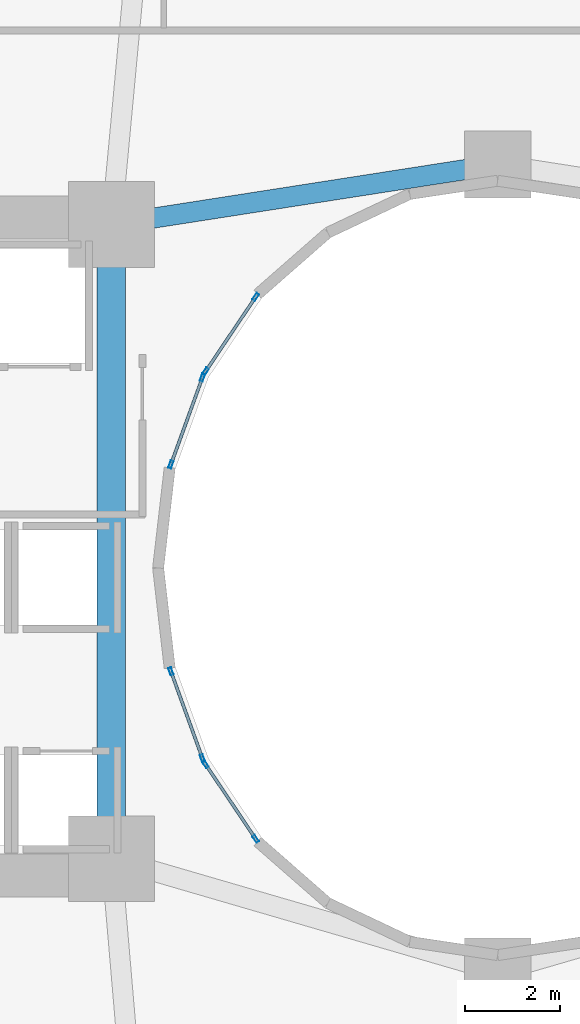
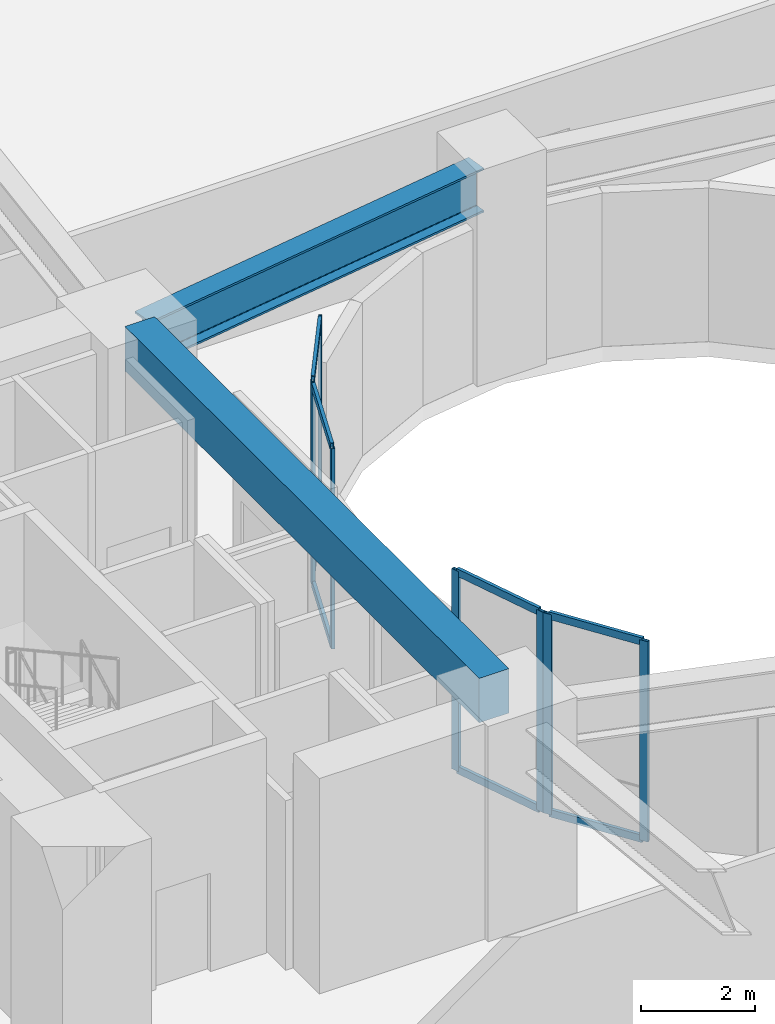
# One storey, part 4 of 25: 16 members, 2 beams, 4 elements without a shape of their own.
"""IFC4 building model written with IfcOpenShell, lengths in metres."""

from ifc_helpers import new_model, si_unit, direction, frame, origin, origin_2d, place, context, subcontext, project, spatial, rectangle, hollow_rectangle, i_section, extrude, material, layer, layer_set, material_profile, profile_set, type_object, element, aggregate, save


model = new_model("IFC4")

# Units and contexts
model_context = context("Model", 3, precision=1e-05, world=origin(), true_north=direction((0.0, 1.0)))
body_context = subcontext(model_context, "Body", "Model", "MODEL_VIEW")
ifc_project = project(units=[si_unit("LENGTHUNIT", "METRE"), si_unit("AREAUNIT", "SQUARE_METRE"), si_unit("VOLUMEUNIT", "CUBIC_METRE"), si_unit("PLANEANGLEUNIT", "RADIAN"), si_unit("MASSUNIT", "GRAM", prefix="KILO")], contexts=[model_context])

# Site, building, storey
site_placement = place(None, origin())
site = spatial("IfcSite", under=ifc_project, at=site_placement, CompositionType="ELEMENT")
building_placement = place(site_placement, origin())
building = spatial("IfcBuilding", under=site, at=building_placement, Name="Solvane Sanctuary Tower", CompositionType="ELEMENT")
storey_placement = place(building_placement, frame((0.0, 0.0, 13.800048828125)))
storey = spatial("IfcBuildingStorey", under=building, at=storey_placement, Name="L04", CompositionType="ELEMENT", Elevation=13.800048828125)

# Beams
ifc_material_1 = material(Name="Concrete C70/85", Category="concrete")
ifc_material_profile_1 = material_profile(ifc_material_1, rectangle(XDim=0.60009765625, YDim=0.949951171875, at=origin_2d()), Name="RC600X950")
ifc_profile_set_1 = profile_set([ifc_material_profile_1], Name="Concrete C70/85")
beam_type_1 = type_object("IfcBeamType", Name="Beam B-COUPLE RC600X950", PredefinedType="LINTEL", material=ifc_profile_set_1)
beam_1_placement = place(storey_placement, frame((23.89990234375, 17.35009765625, 4.125), z_axis=(0.0, 1.0, 0.0), x_axis=(-1.0, 0.0, 0.0)))
element("IfcBeam", 1, at=beam_1_placement, inside=storey, type_object=beam_type_1, Name="L04 West Core Coupling Lintel", PredefinedType="LINTEL", context=body_context, shape_type="SweptSolid", body=[
    extrude(rectangle(XDim=0.60009765625, YDim=0.949951171875, at=origin_2d()), origin(), (0.0, 0.0, 1.0), 12.39990234375),
])
ifc_material_2 = material(Name="Steel ASTM A913 Grade 65", Category="steel")
ifc_material_profile_2 = material_profile(ifc_material_2, i_section(OverallWidth=0.423095703125, OverallDepth=0.947998046875, WebThickness=0.02392578125, FlangeThickness=0.042724609375, FilletRadius=0.02392578125, at=origin_2d()), Name="W36X302")
ifc_profile_set_2 = profile_set([ifc_material_profile_2], Name="Steel ASTM A913 Grade 65")
beam_type_2 = type_object("IfcBeamType", Name="Beam B-POD-GIRD W36X302", PredefinedType="BEAM", material=ifc_profile_set_2)
beam_2_placement = place(storey_placement, frame((24.245849609375, 30.25390625, 3.803955078125), z_axis=(0.988118117449, 0.153696408448, 0.0), x_axis=(-0.153696408448, 0.988118117449, 0.0)))
element("IfcBeam", 2, at=beam_2_placement, inside=storey, type_object=beam_type_2, Name="L04 Podium Primary Girder PG19", PredefinedType="BEAM", context=body_context, shape_type="SweptSolid", body=[
    extrude(i_section(OverallWidth=0.423095703125, OverallDepth=0.947998046875, WebThickness=0.02392578125, FlangeThickness=0.042724609375, FilletRadius=0.02392578125, at=origin_2d()), origin(), (0.0, 0.0, 1.0), 7.49755859375),
])

# Curtain wall, members
ifc_material_3 = material(Name="Anodised Aluminium 6063-T6", Category="aluminium")
ifc_layer = layer(ifc_material_3, 0.199951171875, Name="Anodised Aluminium 6063-T6")
ifc_layer_set = layer_set([ifc_layer], Name="Anodised Aluminium 6063-T6")
curtain_wall_type = type_object("IfcCurtainWallType", Name="Curtain Wall CW-WELL", PredefinedType="NOTDEFINED", material=ifc_layer_set)
curtain_wall_1_placement = place(storey_placement, origin())
curtain_wall_1 = element("IfcCurtainWall", 3, at=curtain_wall_1_placement, inside=storey, type_object=curtain_wall_type, Name="L04 Light-Well Curtain Wall 09", PredefinedType="NOTDEFINED")
ifc_material_profile_3 = material_profile(ifc_material_3, hollow_rectangle(XDim=0.06494140625, YDim=0.159912109375, WallThickness=0.00341796875, at=origin_2d()), Name="ALU160X65X3.5")
ifc_profile_set_3 = profile_set([ifc_material_profile_3], Name="Anodised Aluminium 6063-T6")
member_type_1 = type_object("IfcMemberType", Name="Member M-CW-MUL-2 ALU160X65X3.5", PredefinedType="MULLION", material=ifc_profile_set_3)
member_1_placement = place(storey_placement, frame((26.925048828125, 28.681640625, 0.0), z_axis=(0.0, 0.0, 1.0), x_axis=(0.829664150104, -0.558262839559, 0.0)))
member_1 = element("IfcMember", 4, at=member_1_placement, type_object=member_type_1, Name="CW-WELL mullion 1", PredefinedType="MULLION", context=body_context, shape_type="SweptSolid", body=[
    extrude(hollow_rectangle(XDim=0.06494140625, YDim=0.159912109375, WallThickness=0.00341796875, at=origin_2d()), origin(), (0.0, 0.0, 1.0), 4.280029296875),
])
member_2_placement = place(storey_placement, frame((25.874267578125, 27.1201171875, 0.0), z_axis=(0.0, 0.0, 1.0), x_axis=(0.829664150104, -0.558262839559, 0.0)))
member_2 = element("IfcMember", 5, at=member_2_placement, type_object=member_type_1, Name="CW-WELL mullion 2", PredefinedType="MULLION", context=body_context, shape_type="SweptSolid", body=[
    extrude(hollow_rectangle(XDim=0.06494140625, YDim=0.159912109375, WallThickness=0.00341796875, at=origin_2d()), origin(), (0.0, 0.0, 1.0), 4.280029296875),
])

curtain_wall_2_placement = place(storey_placement, origin())
curtain_wall_2 = element("IfcCurtainWall", 6, at=curtain_wall_2_placement, inside=storey, type_object=curtain_wall_type, Name="L04 Light-Well Curtain Wall 10", PredefinedType="NOTDEFINED")
member_3_placement = place(storey_placement, frame((25.80908203125, 26.991943359375, 0.0), z_axis=(0.0, 0.0, 1.0), x_axis=(0.939937610132, -0.341346289067, 0.0)))
member_3 = element("IfcMember", 7, at=member_3_placement, type_object=member_type_1, Name="CW-WELL mullion 1", PredefinedType="MULLION", context=body_context, shape_type="SweptSolid", body=[
    extrude(hollow_rectangle(XDim=0.06494140625, YDim=0.159912109375, WallThickness=0.00341796875, at=origin_2d()), origin(), (0.0, 0.0, 1.0), 4.280029296875),
])
member_4_placement = place(storey_placement, frame((25.1474609375, 25.169677734375, 0.0), z_axis=(0.0, 0.0, 1.0), x_axis=(0.939937610132, -0.341346289067, 0.0)))
member_4 = element("IfcMember", 8, at=member_4_placement, type_object=member_type_1, Name="CW-WELL mullion 2", PredefinedType="MULLION", context=body_context, shape_type="SweptSolid", body=[
    extrude(hollow_rectangle(XDim=0.06494140625, YDim=0.159912109375, WallThickness=0.00341796875, at=origin_2d()), origin(), (0.0, 0.0, 1.0), 4.280029296875),
])

curtain_wall_3_placement = place(storey_placement, origin())
curtain_wall_3 = element("IfcCurtainWall", 9, at=curtain_wall_3_placement, inside=storey, type_object=curtain_wall_type, Name="L04 Light-Well Curtain Wall 13", PredefinedType="NOTDEFINED")
member_5_placement = place(storey_placement, frame((25.1474609375, 20.830322265625, 0.0), z_axis=(0.0, 0.0, 1.0), x_axis=(0.939937610132, 0.341346289067, 0.0)))
member_5 = element("IfcMember", 10, at=member_5_placement, type_object=member_type_1, Name="CW-WELL mullion 1", PredefinedType="MULLION", context=body_context, shape_type="SweptSolid", body=[
    extrude(hollow_rectangle(XDim=0.06494140625, YDim=0.159912109375, WallThickness=0.00341796875, at=origin_2d()), origin(), (0.0, 0.0, 1.0), 4.280029296875),
])
member_6_placement = place(storey_placement, frame((25.80908203125, 19.008056640625, 0.0), z_axis=(0.0, 0.0, 1.0), x_axis=(0.939937610132, 0.341346289067, 0.0)))
member_6 = element("IfcMember", 11, at=member_6_placement, type_object=member_type_1, Name="CW-WELL mullion 2", PredefinedType="MULLION", context=body_context, shape_type="SweptSolid", body=[
    extrude(hollow_rectangle(XDim=0.06494140625, YDim=0.159912109375, WallThickness=0.00341796875, at=origin_2d()), origin(), (0.0, 0.0, 1.0), 4.280029296875),
])

curtain_wall_4_placement = place(storey_placement, origin())
curtain_wall_4 = element("IfcCurtainWall", 12, at=curtain_wall_4_placement, inside=storey, type_object=curtain_wall_type, Name="L04 Light-Well Curtain Wall 14", PredefinedType="NOTDEFINED")
member_7_placement = place(storey_placement, frame((25.874267578125, 18.8798828125, 0.0), z_axis=(0.0, 0.0, 1.0), x_axis=(0.829664150104, 0.558262839559, 0.0)))
member_7 = element("IfcMember", 13, at=member_7_placement, type_object=member_type_1, Name="CW-WELL mullion 1", PredefinedType="MULLION", context=body_context, shape_type="SweptSolid", body=[
    extrude(hollow_rectangle(XDim=0.06494140625, YDim=0.159912109375, WallThickness=0.00341796875, at=origin_2d()), origin(), (0.0, 0.0, 1.0), 4.280029296875),
])
member_8_placement = place(storey_placement, frame((26.925048828125, 17.318359375, 0.0), z_axis=(0.0, 0.0, 1.0), x_axis=(0.829664150104, 0.558262839559, 0.0)))
member_8 = element("IfcMember", 14, at=member_8_placement, type_object=member_type_1, Name="CW-WELL mullion 2", PredefinedType="MULLION", context=body_context, shape_type="SweptSolid", body=[
    extrude(hollow_rectangle(XDim=0.06494140625, YDim=0.159912109375, WallThickness=0.00341796875, at=origin_2d()), origin(), (0.0, 0.0, 1.0), 4.280029296875),
])

# Member
ifc_material_profile_4 = material_profile(ifc_material_3, hollow_rectangle(XDim=0.06494140625, YDim=0.159912109375, WallThickness=0.00341796875, at=origin_2d()), Name="ALU160X65X3.5")
ifc_profile_set_4 = profile_set([ifc_material_profile_4], Name="Anodised Aluminium 6063-T6")
member_type_2 = type_object("IfcMemberType", Name="Member M-CW-TRN-1 ALU160X65X3.5", PredefinedType="USERDEFINED", material=ifc_profile_set_4)
member_9_placement = place(storey_placement, frame((26.90673828125, 28.654541015625, 0.032470703125), z_axis=(-0.558230518083, -0.829685897603, 0.0), x_axis=(0.829685897603, -0.558230518083, 0.0)))
member_9 = element("IfcMember", 15, at=member_9_placement, type_object=member_type_2, Name="CW-WELL transom 1.1", ObjectType="TRANSOM", PredefinedType="USERDEFINED", context=body_context, shape_type="SweptSolid", body=[
    extrude(hollow_rectangle(XDim=0.06494140625, YDim=0.159912109375, WallThickness=0.00341796875, at=origin_2d()), origin(), (0.0, 0.0, 1.0), 1.816650390625),
])

member_10_placement = place(storey_placement, frame((26.90673828125, 28.654541015625, 4.24755859375), z_axis=(-0.558230518083, -0.829685897603, 0.0), x_axis=(0.829685897603, -0.558230518083, 0.0)))
member_10 = element("IfcMember", 16, at=member_10_placement, type_object=member_type_2, Name="CW-WELL transom 1.2", ObjectType="TRANSOM", PredefinedType="USERDEFINED", context=body_context, shape_type="SweptSolid", body=[
    extrude(hollow_rectangle(XDim=0.06494140625, YDim=0.159912109375, WallThickness=0.00341796875, at=origin_2d()), origin(), (0.0, 0.0, 1.0), 1.816650390625),
])

aggregate(curtain_wall_1, [member_1, member_2, member_9, member_10])

member_11_placement = place(storey_placement, frame((25.798095703125, 26.96142578125, 0.032470703125), z_axis=(-0.341366423667, -0.939930297837, 0.0), x_axis=(0.939930297837, -0.341366423667, 0.0)))
member_11 = element("IfcMember", 17, at=member_11_placement, type_object=member_type_2, Name="CW-WELL transom 1.1", ObjectType="TRANSOM", PredefinedType="USERDEFINED", context=body_context, shape_type="SweptSolid", body=[
    extrude(hollow_rectangle(XDim=0.06494140625, YDim=0.159912109375, WallThickness=0.00341796875, at=origin_2d()), origin(), (0.0, 0.0, 1.0), 1.873779296875),
])

member_12_placement = place(storey_placement, frame((25.798095703125, 26.96142578125, 4.24755859375), z_axis=(-0.341366423667, -0.939930297837, 0.0), x_axis=(0.939930297837, -0.341366423667, 0.0)))
member_12 = element("IfcMember", 18, at=member_12_placement, type_object=member_type_2, Name="CW-WELL transom 1.2", ObjectType="TRANSOM", PredefinedType="USERDEFINED", context=body_context, shape_type="SweptSolid", body=[
    extrude(hollow_rectangle(XDim=0.06494140625, YDim=0.159912109375, WallThickness=0.00341796875, at=origin_2d()), origin(), (0.0, 0.0, 1.0), 1.873779296875),
])

aggregate(curtain_wall_2, [member_3, member_4, member_11, member_12])

member_13_placement = place(storey_placement, frame((25.158447265625, 20.7998046875, 0.032470703125), z_axis=(0.341366423667, -0.939930297837, 0.0), x_axis=(0.939930297837, 0.341366423667, 0.0)))
member_13 = element("IfcMember", 19, at=member_13_placement, type_object=member_type_2, Name="CW-WELL transom 1.1", ObjectType="TRANSOM", PredefinedType="USERDEFINED", context=body_context, shape_type="SweptSolid", body=[
    extrude(hollow_rectangle(XDim=0.06494140625, YDim=0.159912109375, WallThickness=0.00341796875, at=origin_2d()), origin(), (0.0, 0.0, 1.0), 1.873779296875),
])

member_14_placement = place(storey_placement, frame((25.158447265625, 20.7998046875, 4.24755859375), z_axis=(0.341366423667, -0.939930297837, 0.0), x_axis=(0.939930297837, 0.341366423667, 0.0)))
member_14 = element("IfcMember", 20, at=member_14_placement, type_object=member_type_2, Name="CW-WELL transom 1.2", ObjectType="TRANSOM", PredefinedType="USERDEFINED", context=body_context, shape_type="SweptSolid", body=[
    extrude(hollow_rectangle(XDim=0.06494140625, YDim=0.159912109375, WallThickness=0.00341796875, at=origin_2d()), origin(), (0.0, 0.0, 1.0), 1.873779296875),
])

aggregate(curtain_wall_3, [member_5, member_6, member_13, member_14])

member_15_placement = place(storey_placement, frame((25.892578125, 18.852783203125, 0.032470703125), z_axis=(0.558230518083, -0.829685897603, 0.0), x_axis=(0.829685897603, 0.558230518083, 0.0)))
member_15 = element("IfcMember", 21, at=member_15_placement, type_object=member_type_2, Name="CW-WELL transom 1.1", ObjectType="TRANSOM", PredefinedType="USERDEFINED", context=body_context, shape_type="SweptSolid", body=[
    extrude(hollow_rectangle(XDim=0.06494140625, YDim=0.159912109375, WallThickness=0.00341796875, at=origin_2d()), origin(), (0.0, 0.0, 1.0), 1.816650390625),
])

member_16_placement = place(storey_placement, frame((25.892578125, 18.852783203125, 4.24755859375), z_axis=(0.558230518083, -0.829685897603, 0.0), x_axis=(0.829685897603, 0.558230518083, 0.0)))
member_16 = element("IfcMember", 22, at=member_16_placement, type_object=member_type_2, Name="CW-WELL transom 1.2", ObjectType="TRANSOM", PredefinedType="USERDEFINED", context=body_context, shape_type="SweptSolid", body=[
    extrude(hollow_rectangle(XDim=0.06494140625, YDim=0.159912109375, WallThickness=0.00341796875, at=origin_2d()), origin(), (0.0, 0.0, 1.0), 1.816650390625),
])

aggregate(curtain_wall_4, [member_7, member_8, member_15, member_16])

save(model, "model.ifc")
